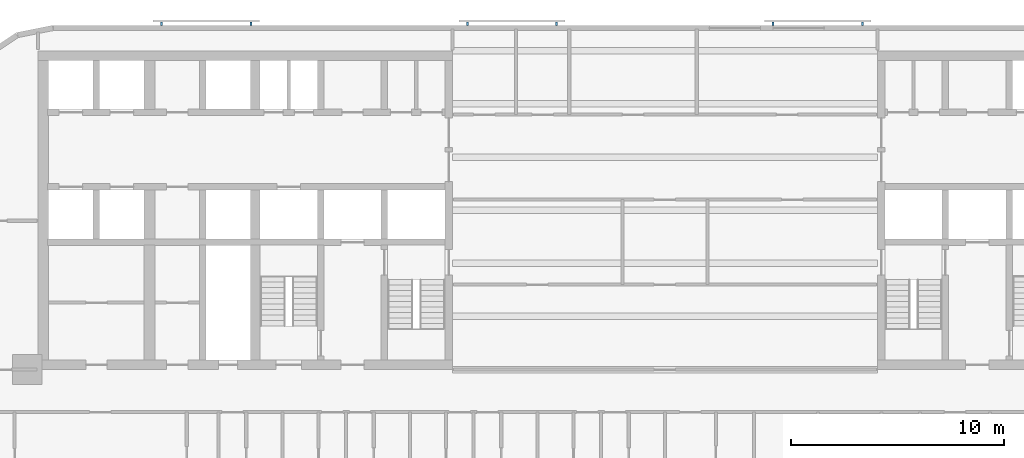
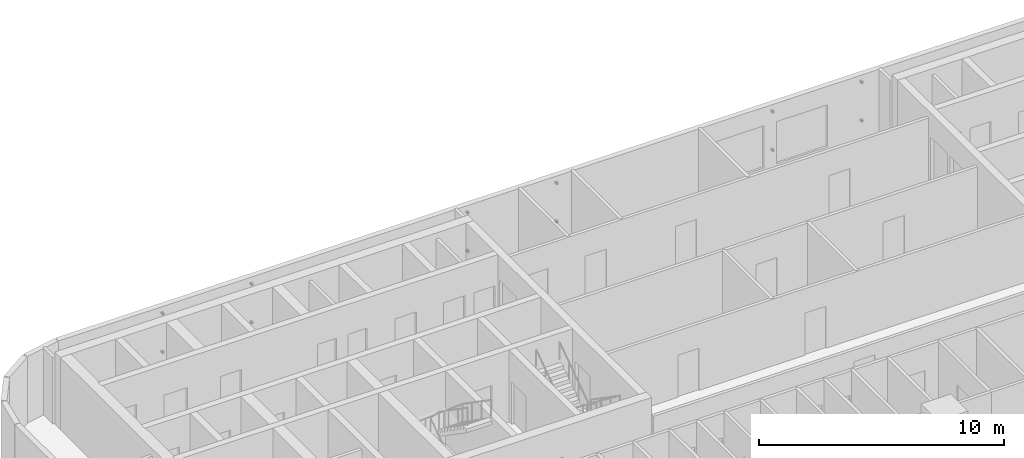
# One storey, part 10 of 14: 12 discrete accessories.
"""IFC4 building model written with IfcOpenShell, lengths in metres."""

import ifcopenshell
import ifcopenshell.guid

model = None  # the IFC model being written
_history = None  # IfcOwnerHistory: only IFC2X3 demands one
_inside = {}  # id of a spatial element -> (the spatial element, [elements in it])
_under = {}  # id of a project, library or spatial element -> (it, [spatial elements below it])
_declared = {}  # id of a project -> (the project, [libraries it declares])
_typed = {}  # id of a type object -> (the type object, [elements of that type])
_made_of = {}  # id of a material, layer set ... -> (it, [elements and type objects made of it])


def new_model(schema):
    """Start an empty IFC model of exactly this schema.

    Asked for "IFC4X3", IfcOpenShell would pick the latest addendum, in which some entities
    have other attributes; the version numbers below select the first issue.
    IFC2X3 requires an IfcOwnerHistory on every rooted entity: one is made here for all.
    """
    global model, _history
    if schema == "IFC4X3":
        model = ifcopenshell.file(schema_version=(4, 3, 0, 0))
    else:
        model = ifcopenshell.file(schema=schema)
    _inside.clear()
    _under.clear()
    _declared.clear()
    _typed.clear()
    _made_of.clear()
    _history = None
    if model.schema == "IFC2X3":
        org = make("IfcOrganization", Name="unknown")
        user = make(
            "IfcPersonAndOrganization",
            ThePerson=make("IfcPerson", FamilyName="unknown"),
            TheOrganization=org,
        )
        app = make(
            "IfcApplication",
            ApplicationDeveloper=org,
            Version="unknown",
            ApplicationFullName="unknown",
            ApplicationIdentifier="unknown",
        )
        _history = make(
            "IfcOwnerHistory",
            OwningUser=user,
            OwningApplication=app,
            ChangeAction="ADDED",
            CreationDate=0,
        )
    return model


def make(cls, **values):
    """One entity of the class cls with the attributes given. An attribute that is None is left unset."""
    return model.create_entity(
        cls, **{name: value for name, value in values.items() if value is not None}
    )


def rooted(cls, **values):
    """An entity with a GlobalId (a new one), such as an element, a storey or a relation."""
    return make(cls, GlobalId=ifcopenshell.guid.new(), OwnerHistory=_history, **values)


def si_unit(unit_type, name, prefix=None):
    """IfcSIUnit, for example si_unit("LENGTHUNIT", "METRE", prefix="MILLI")."""
    return make("IfcSIUnit", UnitType=unit_type, Prefix=prefix, Name=name)


def assignment(units):
    """IfcUnitAssignment: the units of a project."""
    return None if units is None else make("IfcUnitAssignment", Units=units)


def point(xyz):
    """IfcCartesianPoint."""
    return None if xyz is None else make("IfcCartesianPoint", Coordinates=xyz)


def direction(xyz):
    """IfcDirection."""
    return None if xyz is None else make("IfcDirection", DirectionRatios=xyz)


def frame(location, z_axis=None, x_axis=None):
    """IfcAxis2Placement3D, a coordinate frame: its origin and axes. An axis left out is left unset."""
    return make(
        "IfcAxis2Placement3D",
        Location=point(location),
        Axis=direction(z_axis),
        RefDirection=direction(x_axis),
    )


def frame_2d(location, x_axis=None):
    """IfcAxis2Placement2D, a coordinate frame in the plane: its origin and x axis."""
    return make(
        "IfcAxis2Placement2D", Location=point(location), RefDirection=direction(x_axis)
    )


def origin():
    """The frame at (0, 0, 0) with its axes left unset."""
    return frame((0.0, 0.0, 0.0))


def origin_2d():
    """The frame at (0, 0) in the plane with its x axis left unset."""
    return frame_2d((0.0, 0.0))


def place(relative_to, where):
    """IfcLocalPlacement: puts the frame where relative to a parent placement (None: the world)."""
    return make(
        "IfcLocalPlacement", PlacementRelTo=relative_to, RelativePlacement=where
    )


def context(
    kind, dimensions, precision=None, world=None, true_north=None, identifier=None
):
    """IfcGeometricRepresentationContext, for example the 3D "Model" context."""
    return make(
        "IfcGeometricRepresentationContext",
        ContextIdentifier=identifier,
        ContextType=kind,
        CoordinateSpaceDimension=dimensions,
        Precision=precision,
        WorldCoordinateSystem=world,
        TrueNorth=true_north,
    )


def subcontext(parent, identifier, kind, view, scale=None):
    """IfcGeometricRepresentationSubContext, for example "Body" below "Model"."""
    return make(
        "IfcGeometricRepresentationSubContext",
        ContextIdentifier=identifier,
        ContextType=kind,
        ParentContext=parent,
        TargetScale=scale,
        TargetView=view,
    )


def project(units=None, contexts=None):
    """IfcProject with its units and contexts."""
    return rooted(
        "IfcProject",
        Name="project",
        RepresentationContexts=contexts,
        UnitsInContext=assignment(units),
    )


def spatial(cls, under=None, at=None, **own):
    """A site, building, storey or space (cls), placed at a placement, below another one or the project."""
    s = rooted(cls, ObjectPlacement=at, **own)
    if under is not None:
        _under.setdefault(under.id(), (under, []))[1].append(s)
    return s


def profile(cls, at=None, kind="AREA", **sizes):
    """A parametric profile (cls). Its sizes go by their IFC names, for example OverallWidth=200.0."""
    return make(cls, ProfileType=kind, Position=at, **sizes)


def rectangle(**sizes):
    """IfcRectangleProfileDef."""
    return profile("IfcRectangleProfileDef", **sizes)


def extrude(swept, where, along, depth):
    """IfcExtrudedAreaSolid: the profile swept, set in the frame where, extruded along a direction by depth."""
    return make(
        "IfcExtrudedAreaSolid",
        SweptArea=swept,
        Position=where,
        ExtrudedDirection=direction(along),
        Depth=depth,
    )


def shape(context_of_items, identifier, shape_type, items):
    """IfcShapeRepresentation: the items that make up one representation, for example the "Body"."""
    return make(
        "IfcShapeRepresentation",
        ContextOfItems=context_of_items,
        RepresentationIdentifier=identifier,
        RepresentationType=shape_type,
        Items=items,
    )


def material(Name=None, Category=None):
    """IfcMaterial."""
    return make("IfcMaterial", Name=Name, Category=Category)


def made_of(thing, what):
    """Note that an element or type object is made of a material, layer set ...; save() writes the relation."""
    if what is not None:
        _made_of.setdefault(what.id(), (what, []))[1].append(thing)
    return thing


def type_object(cls, material=None, **own):
    """A type object (cls), such as IfcWallType, which elements share."""
    return made_of(rooted(cls, **own), material)


def element(
    cls,
    number,
    at=None,
    inside=None,
    cuts=None,
    type_object=None,
    material=None,
    context=None,
    identifier="Body",
    shape_type=None,
    held_by="IfcProductDefinitionShape",
    body=None,
    shapes=None,
    **own,
):
    """One element of the class cls, such as IfcWall. Its Tag is "e" and its number.

    at: its placement. inside: the storey or other place that contains it. cuts: it is an
    opening in that element (IfcRelVoidsElement). A single representation is given by context,
    identifier, shape_type and body (its items); several are given by shapes. held_by: the class
    of the entity that holds the representations. save() writes the other relations.
    """
    e = rooted(cls, Tag="e%d" % number, ObjectPlacement=at, **own)
    if body is not None:
        shapes = [shape(context, identifier, shape_type, body)]
    if shapes is not None:
        e.Representation = make(held_by, Representations=shapes)
    if inside is not None:
        _inside.setdefault(inside.id(), (inside, []))[1].append(e)
    if cuts is not None:
        rooted(
            "IfcRelVoidsElement", RelatingBuildingElement=cuts, RelatedOpeningElement=e
        )
    if type_object is not None:
        _typed.setdefault(type_object.id(), (type_object, []))[1].append(e)
    return made_of(e, material)


def aggregate(whole, parts):
    """IfcRelAggregates: a whole, such as a stair, and the parts it consists of."""
    return rooted("IfcRelAggregates", RelatingObject=whole, RelatedObjects=parts)


def save(model, path):
    """Write the relations noted so far, then the file.

    IfcRelAggregates (storeys below a building ...), IfcRelContainedInSpatialStructure (elements
    in a storey), IfcRelDefinesByType, IfcRelAssociatesMaterial and IfcRelDeclares: one each for
    every whole, place, type object, material and project.
    """
    for whole, parts in _under.values():
        aggregate(whole, parts)
    for where, things in _inside.values():
        rooted(
            "IfcRelContainedInSpatialStructure",
            RelatedElements=things,
            RelatingStructure=where,
        )
    for kind, things in _typed.values():
        rooted("IfcRelDefinesByType", RelatedObjects=things, RelatingType=kind)
    for what, things in _made_of.values():
        rooted("IfcRelAssociatesMaterial", RelatedObjects=things, RelatingMaterial=what)
    for by, libraries in _declared.values():
        rooted("IfcRelDeclares", RelatingContext=by, RelatedDefinitions=libraries)
    model.write(path)


model = new_model("IFC4")

# Units and contexts
model_context = context("Model", 3, precision=1e-05, world=origin(), true_north=direction((0.0, 1.0)))
body_context = subcontext(model_context, "Body", "Model", "MODEL_VIEW")
ifc_project = project(units=[si_unit("LENGTHUNIT", "METRE"), si_unit("AREAUNIT", "SQUARE_METRE"), si_unit("VOLUMEUNIT", "CUBIC_METRE"), si_unit("PLANEANGLEUNIT", "RADIAN"), si_unit("MASSUNIT", "GRAM", prefix="KILO")], contexts=[model_context])

# Site, building, storey
site_placement = place(None, origin())
site = spatial("IfcSite", under=ifc_project, at=site_placement, CompositionType="ELEMENT")
building_placement = place(site_placement, origin())
building = spatial("IfcBuilding", under=site, at=building_placement, Name="Torana Hotel and Residences", CompositionType="ELEMENT")
storey_placement = place(building_placement, frame((0.0, 0.0, 63.60009765625)))
storey = spatial("IfcBuildingStorey", under=building, at=storey_placement, Name="L15", CompositionType="ELEMENT", Elevation=63.60009765625)

# Discrete accessories
ifc_material = material(Name="Steel S355", Category="steel")
discrete_accessory_type = type_object("IfcDiscreteAccessoryType", Name="SCREEN BRACKET 100", PredefinedType="BRACKET", material=ifc_material)
for number, where, z_axis, x_axis, name in (
    (1, (9.293701171875, 1.27490234375, 0.749755859375), (0.0, 0.0, 1.0), (-1.0, 0.0, 0.0), "Screen bracket L15"),
    (2, (9.293701171875, 1.27490234375, 2.669921875), (0.0, 0.0, 1.0), (-1.0, 0.0, 0.0), "Screen bracket L15"),
    (3, (5.09375, 1.27490234375, 0.749755859375), (0.0, 0.0, 1.0), (-1.0, 0.0, 0.0), "Screen bracket L15"),
    (4, (5.09375, 1.27490234375, 2.669921875), (0.0, 0.0, 1.0), (-1.0, 0.0, 0.0), "Screen bracket L15"),
    (5, (-5.09375, 1.27490234375, 0.749755859375), (0.0, 0.0, 1.0), (-1.0, 0.0, 0.0), "Screen bracket L15"),
    (6, (-5.09375, 1.27490234375, 2.669921875), (0.0, 0.0, 1.0), (-1.0, 0.0, 0.0), "Screen bracket L15"),
    (7, (-9.293701171875, 1.27490234375, 0.749755859375), (0.0, 0.0, 1.0), (-1.0, 0.0, 0.0), "Screen bracket L15"),
    (8, (-9.293701171875, 1.27490234375, 2.669921875), (0.0, 0.0, 1.0), (-1.0, 0.0, 0.0), "Screen bracket L15"),
    (9, (-19.4814453125, 1.27490234375, 0.749755859375), (0.0, 0.0, 1.0), (-1.0, 0.0, 0.0), "Screen bracket L15"),
    (10, (-19.4814453125, 1.27490234375, 2.669921875), (0.0, 0.0, 1.0), (-1.0, 0.0, 0.0), "Screen bracket L15"),
    (11, (-23.681396484375, 1.27490234375, 0.749755859375), (0.0, 0.0, 1.0), (-1.0, 0.0, 0.0), "Screen bracket L15"),
    (12, (-23.681396484375, 1.27490234375, 2.669921875), (0.0, 0.0, 1.0), (-1.0, 0.0, 0.0), "Screen bracket L15"),
):
    element("IfcDiscreteAccessory", number, at=place(storey_placement, frame(where, z_axis=z_axis, x_axis=x_axis)), inside=storey, type_object=discrete_accessory_type, Name=name, PredefinedType="BRACKET", context=body_context, shape_type="SweptSolid", body=[
        extrude(rectangle(XDim=0.10009765625, YDim=0.14990234375, at=origin_2d()), origin(), (0.0, 0.0, 1.0), 0.10009765625),
    ])

save(model, "model.ifc")
